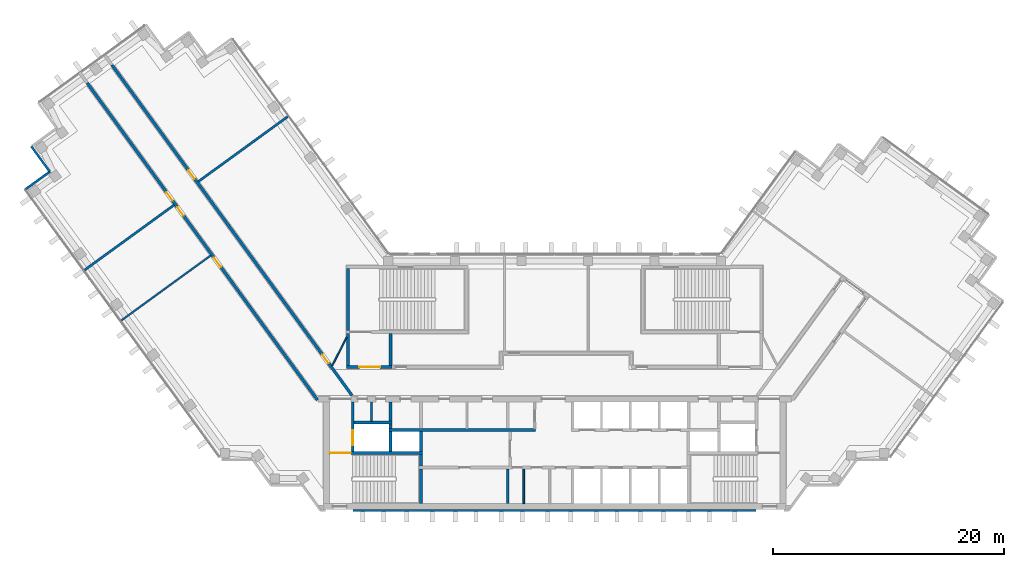
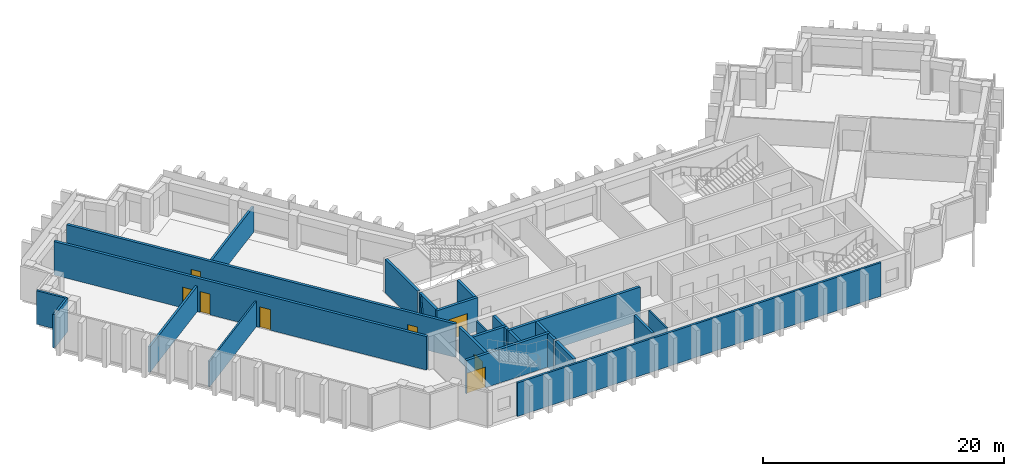
# One storey, part 4 of 9: 26 walls, 8 doors, 8 openings.
"""IFC4 building model written with IfcOpenShell, lengths in metres."""

from ifc_helpers import new_model, si_unit, direction, frame, frame_2d, origin, place, context, subcontext, project, spatial, rectangle, extrude, material, layer, layer_set, type_object, element, fill, save


model = new_model("IFC4")

# Units and contexts
model_context = context("Model", 3, precision=1e-05, world=origin(), true_north=direction((0.0, 1.0)))
body_context = subcontext(model_context, "Body", "Model", "MODEL_VIEW")
ifc_project = project(units=[si_unit("LENGTHUNIT", "METRE"), si_unit("AREAUNIT", "SQUARE_METRE"), si_unit("VOLUMEUNIT", "CUBIC_METRE"), si_unit("PLANEANGLEUNIT", "RADIAN"), si_unit("MASSUNIT", "GRAM", prefix="KILO")], contexts=[model_context])

# Site, building, storey
site_placement = place(None, origin())
site = spatial("IfcSite", under=ifc_project, at=site_placement, CompositionType="ELEMENT")
building_placement = place(site_placement, origin())
building = spatial("IfcBuilding", under=site, at=building_placement, Name="Quipu Civic Tower", CompositionType="ELEMENT")
storey_placement = place(building_placement, frame((0.0, 0.0, 238.0)))
storey = spatial("IfcBuildingStorey", under=building, at=storey_placement, Name="L56", CompositionType="ELEMENT", Elevation=238.0)

# Walls
ifc_material_1 = material(Name="Double gypsum plasterboard with mineral wool")
ifc_layer_1 = layer(ifc_material_1, 0.14990234375)
ifc_layer_set_1 = layer_set([ifc_layer_1], Name="Double gypsum plasterboard with mineral wool")
wall_type_1 = type_object("IfcWallType", Name="Acoustic partition 150 plasterboard", PredefinedType="PARTITIONING", material=ifc_layer_set_1)
wall_1_placement = place(storey_placement, frame((-29.769287109375, 10.979736328125, 0.0), z_axis=(0.0, 0.0, 1.0), x_axis=(-0.809048817734, -0.587741448702, 0.0)))
element("IfcWall", 1, at=wall_1_placement, inside=storey, type_object=wall_type_1, Name="Partition P02", PredefinedType="PARTITIONING", context=body_context, shape_type="SweptSolid", body=[
    extrude(rectangle(XDim=9.55029296875, YDim=0.14990234375, at=frame_2d((4.775146484375, 0.0))), origin(), (0.0, 0.0, 1.0), 2.60009765625),
])
ifc_material_2 = material(Name="Fired clay blockwork", Category="masonry")
ifc_layer_2 = layer(ifc_material_2, 0.199951171875)
ifc_layer_set_2 = layer_set([ifc_layer_2], Name="Fired clay blockwork")
wall_type_2 = type_object("IfcWallType", Name="Blockwork wall 200", PredefinedType="SOLIDWALL", material=ifc_layer_set_2)
wall_2_placement = place(storey_placement, frame((-23.112060546875, 22.99755859375, 0.0), z_axis=(0.0, 0.0, 1.0), x_axis=(-0.809043311713, -0.587749027879, 0.0)))
element("IfcWall", 2, at=wall_2_placement, inside=storey, type_object=wall_type_2, Name="Partition P05", PredefinedType="SOLIDWALL", context=body_context, shape_type="SweptSolid", body=[
    extrude(rectangle(XDim=9.549560546875, YDim=0.199951171875, at=frame_2d((4.77490234375, 0.0))), origin(), (0.0, 0.0, 1.0), 2.60009765625),
])
wall_3_placement = place(storey_placement, frame((-32.943115234375, 15.348876953125, 0.0), z_axis=(0.0, 0.0, 1.0), x_axis=(-0.80903787798, -0.587756507402, 0.0)))
element("IfcWall", 3, at=wall_3_placement, inside=storey, type_object=wall_type_2, Name="Partition P06", PredefinedType="SOLIDWALL", context=body_context, shape_type="SweptSolid", body=[
    extrude(rectangle(XDim=9.651611328125, YDim=0.199951171875, at=frame_2d((4.82568359375, 0.0))), origin(), (0.0, 0.0, 1.0), 2.60009765625),
])
ifc_material_3 = material(Name="Concrete C70/85", Category="concrete")
ifc_layer_3 = layer(ifc_material_3, 0.25)
ifc_layer_set_3 = layer_set([ifc_layer_3], Name="Concrete C70/85")
wall_type_3 = type_object("IfcWallType", Name="Core wall 250", PredefinedType="SHEAR", material=ifc_layer_set_3)
wall_4_placement = place(storey_placement, frame((-11.574951171875, -10.5, 0.0), z_axis=(0.0, 0.0, 1.0), x_axis=(0.0, 1.0, 0.0)))
element("IfcWall", 4, at=wall_4_placement, inside=storey, type_object=wall_type_3, Name="Core wall", PredefinedType="SHEAR", context=body_context, shape_type="SweptSolid", body=[
    extrude(rectangle(XDim=3.0, YDim=0.25, at=frame_2d((1.5, 0.0))), origin(), (0.0, 0.0, 1.0), 3.39990234375),
])
wall_5_placement = place(storey_placement, frame((-11.574951171875, -7.25, 0.0), z_axis=(0.0, 0.0, 1.0), x_axis=(0.0, 1.0, 0.0)))
element("IfcWall", 5, at=wall_5_placement, inside=storey, type_object=wall_type_3, Name="Core wall", PredefinedType="SHEAR", context=body_context, shape_type="SweptSolid", body=[
    extrude(rectangle(XDim=1.0, YDim=0.25, at=frame_2d((0.5, 0.0))), origin(), (0.0, 0.0, 1.0), 3.39990234375),
])

# Wall, opening, door
wall_6_placement = place(storey_placement, frame((-11.449951171875, -6.125, 0.0), z_axis=(0.0, 0.0, 1.0), x_axis=(-1.0, 0.0, 0.0)))
wall_6 = element("IfcWall", 6, at=wall_6_placement, inside=storey, type_object=wall_type_3, Name="Core wall", PredefinedType="SHEAR", context=body_context, shape_type="SweptSolid", body=[
    extrude(rectangle(XDim=8.050048828125, YDim=0.25, at=frame_2d((4.02490234375, 0.0))), origin(), (0.0, 0.0, 1.0), 3.39990234375),
])
opening_1_placement = place(wall_6_placement, frame((6.199951171875, 0.0, 0.0)))
opening_1 = element("IfcOpeningElement", 7, at=opening_1_placement, cuts=wall_6, Name="Opening CD-05", PredefinedType="OPENING", context=body_context, shape_type="SweptSolid", body=[
    extrude(rectangle(XDim=1.800048828125, YDim=2.10009765625, at=frame_2d((0.89990234375, 1.050048828125))), frame((0.0, 0.135009765625, 0.0), z_axis=(0.0, -1.0, 0.0), x_axis=(1.0, 0.0, 0.0)), (0.0, 0.0, 1.0), 0.27001953125),
])
ifc_material_4 = material(Name="Fire rated steel door", Category="steel")
door_type_1 = type_object("IfcDoorType", Name="Fire door FD90 double 1800 x 2100", OperationType="NOTDEFINED", PredefinedType="DOOR", material=ifc_material_4)
door_1_placement = place(opening_1_placement, origin())
door_1 = element("IfcDoor", 8, at=door_1_placement, inside=storey, type_object=door_type_1, Name="Door", OperationType="DOUBLE_DOOR_SINGLE_SWING", OverallHeight=2.10009765625, OverallWidth=1.800048828125, PredefinedType="DOOR", context=body_context, shape_type="SweptSolid", body=[
    extrude(rectangle(XDim=1.800048828125, YDim=2.10009765625, at=frame_2d((0.89990234375, 1.050048828125))), frame((0.0, 0.02490234375, 0.0), z_axis=(0.0, -1.0, 0.0), x_axis=(1.0, 0.0, 0.0)), (0.0, 0.0, 1.0), 0.050048828125),
])
fill(opening_1, door_1)

wall_7_placement = place(storey_placement, frame((-17.47509765625, -6.0, 0.0), z_axis=(0.0, 0.0, 1.0), x_axis=(0.0, 1.0, 0.0)))
wall_7 = element("IfcWall", 9, at=wall_7_placement, inside=storey, type_object=wall_type_3, Name="Core wall", PredefinedType="SHEAR", context=body_context, shape_type="SweptSolid", body=[
    extrude(rectangle(XDim=4.300048828125, YDim=0.25, at=frame_2d((2.14990234375, 0.0))), origin(), (0.0, 0.0, 1.0), 3.39990234375),
])
opening_2_placement = place(wall_7_placement, frame((0.550048828125, 0.0, 0.0)))
opening_2 = element("IfcOpeningElement", 10, at=opening_2_placement, cuts=wall_7, Name="Opening LD-FF1", PredefinedType="OPENING", context=body_context, shape_type="SweptSolid", body=[
    extrude(rectangle(XDim=1.300048828125, YDim=2.10009765625, at=frame_2d((0.64990234375, 1.050048828125))), frame((0.0, 0.135009765625, 0.0), z_axis=(0.0, -1.0, 0.0), x_axis=(1.0, 0.0, 0.0)), (0.0, 0.0, 1.0), 0.27001953125),
])
ifc_material_5 = material(Name="Stainless steel", Category="steel")
door_type_2 = type_object("IfcDoorType", Name="Lift landing door 1300 x 2100", OperationType="DOUBLE_DOOR_SLIDING", PredefinedType="DOOR", material=ifc_material_5)
door_2_placement = place(opening_2_placement, origin())
door_2 = element("IfcDoor", 11, at=door_2_placement, inside=storey, type_object=door_type_2, Name="Landing door FF1", OperationType="DOUBLE_DOOR_SLIDING", OverallHeight=2.10009765625, OverallWidth=1.300048828125, PredefinedType="DOOR", context=body_context, shape_type="SweptSolid", body=[
    extrude(rectangle(XDim=1.300048828125, YDim=2.10009765625, at=frame_2d((0.64990234375, 1.050048828125))), frame((0.0, 0.02490234375, 0.0), z_axis=(0.0, -1.0, 0.0), x_axis=(1.0, 0.0, 0.0)), (0.0, 0.0, 1.0), 0.050048828125),
])
fill(opening_2, door_2)

# Walls
for number, where, z_axis, x_axis, name in (
    (12, (-14.22509765625, -6.0, 0.0), (0.0, 0.0, 1.0), (0.0, 1.0, 0.0), "Core wall"),
    (13, (-11.574951171875, -6.0, 0.0), (0.0, 0.0, 1.0), (0.0, 1.0, 0.0), "Core wall"),
):
    element("IfcWall", number, at=place(storey_placement, frame(where, z_axis=z_axis, x_axis=x_axis)), inside=storey, type_object=wall_type_3, Name=name, PredefinedType="SHEAR", context=body_context, shape_type="SweptSolid", body=[
        extrude(rectangle(XDim=1.75, YDim=0.25, at=frame_2d((0.875, 0.0))), origin(), (0.0, 0.0, 1.0), 3.39990234375),
    ])
wall_8_placement = place(storey_placement, frame((-14.35009765625, -4.125, 0.0), z_axis=(0.0, 0.0, 1.0), x_axis=(1.0, 0.0, 0.0)))
element("IfcWall", 14, at=wall_8_placement, inside=storey, type_object=wall_type_3, Name="Core wall", PredefinedType="SHEAR", context=body_context, shape_type="SweptSolid", body=[
    extrude(rectangle(XDim=12.7001953125, YDim=0.25, at=frame_2d((6.35009765625, 0.0))), origin(), (0.0, 0.0, 1.0), 3.39990234375),
])
wall_9_placement = place(storey_placement, frame((-14.22509765625, -4.0, 0.0), z_axis=(0.0, 0.0, 1.0), x_axis=(0.0, 1.0, 0.0)))
element("IfcWall", 15, at=wall_9_placement, inside=storey, type_object=wall_type_3, Name="Core wall", PredefinedType="SHEAR", context=body_context, shape_type="SweptSolid", body=[
    extrude(rectangle(XDim=0.39990234375, YDim=0.25, at=frame_2d((0.199951171875, 0.0))), origin(), (0.0, 0.0, 1.0), 3.39990234375),
])
wall_10_placement = place(storey_placement, frame((-17.35009765625, -3.47509765625, 0.0), z_axis=(0.0, 0.0, 1.0), x_axis=(1.0, 0.0, 0.0)))
element("IfcWall", 16, at=wall_10_placement, inside=storey, type_object=wall_type_3, Name="Core wall", PredefinedType="SHEAR", context=body_context, shape_type="SweptSolid", body=[
    extrude(rectangle(XDim=3.25, YDim=0.25, at=frame_2d((1.625, 0.0))), origin(), (0.0, 0.0, 1.0), 3.39990234375),
])
wall_11_placement = place(storey_placement, frame((-14.22509765625, -3.35009765625, 0.0), z_axis=(0.0, 0.0, 1.0), x_axis=(0.0, 1.0, 0.0)))
element("IfcWall", 17, at=wall_11_placement, inside=storey, type_object=wall_type_3, Name="Core wall", PredefinedType="SHEAR", context=body_context, shape_type="SweptSolid", body=[
    extrude(rectangle(XDim=1.650146484375, YDim=0.25, at=frame_2d((0.8251953125, 0.0))), origin(), (0.0, 0.0, 1.0), 3.39990234375),
])

# Wall, opening, door
wall_12_placement = place(storey_placement, frame((-18.0, 1.324951171875, 0.0), z_axis=(0.0, 0.0, 1.0), x_axis=(1.0, 0.0, 0.0)))
wall_12 = element("IfcWall", 18, at=wall_12_placement, inside=storey, type_object=wall_type_3, Name="Core wall", PredefinedType="SHEAR", context=body_context, shape_type="SweptSolid", body=[
    extrude(rectangle(XDim=3.89990234375, YDim=0.25, at=frame_2d((1.949951171875, 0.0))), origin(), (0.0, 0.0, 1.0), 3.39990234375),
])
opening_3_placement = place(wall_12_placement, frame((1.10009765625, 0.0, 0.0)))
opening_3 = element("IfcOpeningElement", 19, at=opening_3_placement, cuts=wall_12, Name="Opening CD-19", PredefinedType="OPENING", context=body_context, shape_type="SweptSolid", body=[
    extrude(rectangle(XDim=1.800048828125, YDim=2.10009765625, at=frame_2d((0.89990234375, 1.050048828125))), frame((0.0, 0.135009765625, 0.0), z_axis=(0.0, -1.0, 0.0), x_axis=(1.0, 0.0, 0.0)), (0.0, 0.0, 1.0), 0.27001953125),
])
door_3_placement = place(opening_3_placement, origin())
door_3 = element("IfcDoor", 20, at=door_3_placement, inside=storey, type_object=door_type_1, Name="Lobby door", OperationType="DOUBLE_DOOR_SINGLE_SWING", OverallHeight=2.10009765625, OverallWidth=1.800048828125, PredefinedType="DOOR", context=body_context, shape_type="SweptSolid", body=[
    extrude(rectangle(XDim=1.800048828125, YDim=2.10009765625, at=frame_2d((0.89990234375, 1.050048828125))), frame((0.0, 0.02490234375, 0.0), z_axis=(0.0, -1.0, 0.0), x_axis=(1.0, 0.0, 0.0)), (0.0, 0.0, 1.0), 0.050048828125),
])
fill(opening_3, door_3)

# Walls
for number, where, z_axis, x_axis, name in (
    (21, (-17.875, 1.449951171875, 0.0), (0.0, 0.0, 1.0), (0.0, 1.0, 0.0), "Core wall"),
    (22, (-14.22509765625, 1.449951171875, 0.0), (0.0, 0.0, 1.0), (0.0, 1.0, 0.0), "Core wall"),
):
    element("IfcWall", number, at=place(storey_placement, frame(where, z_axis=z_axis, x_axis=x_axis)), inside=storey, type_object=wall_type_3, Name=name, PredefinedType="SHEAR", context=body_context, shape_type="SweptSolid", body=[
        extrude(rectangle(XDim=2.800048828125, YDim=0.25, at=frame_2d((1.39990234375, 0.0))), origin(), (0.0, 0.0, 1.0), 3.39990234375),
    ])
wall_13_placement = place(storey_placement, frame((-17.875, 4.5, 0.0), z_axis=(0.0, 0.0, 1.0), x_axis=(0.0, 1.0, 0.0)))
element("IfcWall", 23, at=wall_13_placement, inside=storey, type_object=wall_type_3, Name="Core wall", PredefinedType="SHEAR", context=body_context, shape_type="SweptSolid", body=[
    extrude(rectangle(XDim=5.35009765625, YDim=0.25, at=frame_2d((2.675048828125, 0.0))), origin(), (0.0, 0.0, 1.0), 3.39990234375),
])

# Wall, openings, doors
ifc_material_6 = material(Name="Concrete C50/60", Category="concrete")
ifc_layer_4 = layer(ifc_material_6, 0.25)
ifc_layer_set_4 = layer_set([ifc_layer_4], Name="Concrete C50/60")
wall_type_4 = type_object("IfcWallType", Name="Corridor wall 250 concrete", PredefinedType="SOLIDWALL", material=ifc_layer_set_4)
wall_14_placement = place(storey_placement, frame((-20.531005859375, -1.5234375, 0.0), z_axis=(0.0, 0.0, 1.0), x_axis=(-0.587781654618, 0.809019608226, 0.0)))
wall_14 = element("IfcWall", 24, at=wall_14_placement, inside=storey, type_object=wall_type_4, Name="Corridor wall C05", PredefinedType="SOLIDWALL", context=body_context, shape_type="SweptSolid", body=[
    extrude(rectangle(XDim=33.9111328125, YDim=0.25, at=frame_2d((16.95556640625, 0.0))), origin(), (0.0, 0.0, 1.0), 3.39990234375),
])
opening_4_placement = place(wall_14_placement, frame((14.215576171875, 0.0, 0.0)))
opening_4 = element("IfcOpeningElement", 25, at=opening_4_placement, cuts=wall_14, Name="Opening D012", PredefinedType="OPENING", context=body_context, shape_type="SweptSolid", body=[
    extrude(rectangle(XDim=1.0, YDim=2.10009765625, at=frame_2d((0.5, 1.050048828125))), frame((0.0, 0.135009765625, 0.0), z_axis=(0.0, -1.0, 0.0), x_axis=(1.0, 0.0, 0.0)), (0.0, 0.0, 1.0), 0.27001953125),
])
opening_5_placement = place(wall_14_placement, frame((19.715087890625, 0.0, 0.0)))
opening_5 = element("IfcOpeningElement", 26, at=opening_5_placement, cuts=wall_14, Name="Opening D011", PredefinedType="OPENING", context=body_context, shape_type="SweptSolid", body=[
    extrude(rectangle(XDim=0.89990234375, YDim=2.10009765625, at=frame_2d((0.449951171875, 1.050048828125))), frame((0.0, 0.135009765625, 0.0), z_axis=(0.0, -1.0, 0.0), x_axis=(1.0, 0.0, 0.0)), (0.0, 0.0, 1.0), 0.27001953125),
])
opening_6_placement = place(wall_14_placement, frame((21.31591796875, 0.0, 0.0)))
opening_6 = element("IfcOpeningElement", 27, at=opening_6_placement, cuts=wall_14, Name="Opening D010", PredefinedType="OPENING", context=body_context, shape_type="SweptSolid", body=[
    extrude(rectangle(XDim=0.89990234375, YDim=2.10009765625, at=frame_2d((0.449951171875, 1.050048828125))), frame((0.0, 0.135009765625, 0.0), z_axis=(0.0, -1.0, 0.0), x_axis=(1.0, 0.0, 0.0)), (0.0, 0.0, 1.0), 0.27001953125),
])
ifc_material_7 = material(Name="Fire rated timber door set with metal frame", Category="wood")
door_type_3 = type_object("IfcDoorType", Name="Single door 1000 x 2100 FD60", OperationType="NOTDEFINED", PredefinedType="DOOR", material=ifc_material_7)
door_4_placement = place(opening_4_placement, origin())
door_4 = element("IfcDoor", 28, at=door_4_placement, inside=storey, type_object=door_type_3, Name="Door D012", OperationType="SINGLE_SWING_RIGHT", OverallHeight=2.10009765625, OverallWidth=1.0, PredefinedType="DOOR", context=body_context, shape_type="SweptSolid", body=[
    extrude(rectangle(XDim=1.0, YDim=2.10009765625, at=frame_2d((0.5, 1.050048828125))), frame((0.0, 0.02490234375, 0.0), z_axis=(0.0, -1.0, 0.0), x_axis=(1.0, 0.0, 0.0)), (0.0, 0.0, 1.0), 0.050048828125),
])
fill(opening_4, door_4)
ifc_material_8 = material(Name="Fire rated timber door set with metal frame", Category="wood")
door_type_4 = type_object("IfcDoorType", Name="Single door 900 x 2100 FD60", OperationType="NOTDEFINED", PredefinedType="DOOR", material=ifc_material_8)
door_5_placement = place(opening_5_placement, origin())
door_5 = element("IfcDoor", 29, at=door_5_placement, inside=storey, type_object=door_type_4, Name="Door D011", OperationType="SINGLE_SWING_RIGHT", OverallHeight=2.10009765625, OverallWidth=0.89990234375, PredefinedType="DOOR", context=body_context, shape_type="SweptSolid", body=[
    extrude(rectangle(XDim=0.89990234375, YDim=2.10009765625, at=frame_2d((0.449951171875, 1.050048828125))), frame((0.0, 0.02490234375, 0.0), z_axis=(0.0, -1.0, 0.0), x_axis=(1.0, 0.0, 0.0)), (0.0, 0.0, 1.0), 0.050048828125),
])
fill(opening_5, door_5)
door_6_placement = place(opening_6_placement, origin())
door_6 = element("IfcDoor", 30, at=door_6_placement, inside=storey, type_object=door_type_4, Name="Door D010", OperationType="SINGLE_SWING_LEFT", OverallHeight=2.10009765625, OverallWidth=0.89990234375, PredefinedType="DOOR", context=body_context, shape_type="SweptSolid", body=[
    extrude(rectangle(XDim=0.89990234375, YDim=2.10009765625, at=frame_2d((0.449951171875, 1.050048828125))), frame((0.0, 0.02490234375, 0.0), z_axis=(0.0, -1.0, 0.0), x_axis=(1.0, 0.0, 0.0)), (0.0, 0.0, 1.0), 0.050048828125),
])
fill(opening_6, door_6)

wall_15_placement = place(storey_placement, frame((-38.31982421875, 27.46923828125, 0.0), z_axis=(0.0, 0.0, 1.0), x_axis=(0.587788021768, -0.809014982226, 0.0)))
wall_15 = element("IfcWall", 31, at=wall_15_placement, inside=storey, type_object=wall_type_4, Name="Corridor wall C06", PredefinedType="SOLIDWALL", context=body_context, shape_type="SweptSolid", body=[
    extrude(rectangle(XDim=35.34423828125, YDim=0.25, at=frame_2d((17.672119140625, 0.0))), origin(), (0.0, 0.0, 1.0), 3.39990234375),
])
opening_7_placement = place(wall_15_placement, frame((31.002685546875, 0.0, 0.0)))
opening_7 = element("IfcOpeningElement", 32, at=opening_7_placement, cuts=wall_15, Name="Opening D009", PredefinedType="OPENING", context=body_context, shape_type="SweptSolid", body=[
    extrude(rectangle(XDim=0.89990234375, YDim=2.10009765625, at=frame_2d((0.449951171875, 1.050048828125))), frame((0.0, 0.135009765625, 0.0), z_axis=(0.0, -1.0, 0.0), x_axis=(1.0, 0.0, 0.0)), (0.0, 0.0, 1.0), 0.27001953125),
])
opening_8_placement = place(wall_15_placement, frame((11.286376953125, 0.0, 0.0)))
opening_8 = element("IfcOpeningElement", 33, at=opening_8_placement, cuts=wall_15, Name="Opening D008", PredefinedType="OPENING", context=body_context, shape_type="SweptSolid", body=[
    extrude(rectangle(XDim=0.89990234375, YDim=2.10009765625, at=frame_2d((0.449951171875, 1.050048828125))), frame((0.0, 0.135009765625, 0.0), z_axis=(0.0, -1.0, 0.0), x_axis=(1.0, 0.0, 0.0)), (0.0, 0.0, 1.0), 0.27001953125),
])
door_7_placement = place(opening_7_placement, origin())
door_7 = element("IfcDoor", 34, at=door_7_placement, inside=storey, type_object=door_type_4, Name="Door D009", OperationType="SINGLE_SWING_RIGHT", OverallHeight=2.10009765625, OverallWidth=0.89990234375, PredefinedType="DOOR", context=body_context, shape_type="SweptSolid", body=[
    extrude(rectangle(XDim=0.89990234375, YDim=2.10009765625, at=frame_2d((0.449951171875, 1.050048828125))), frame((0.0, 0.02490234375, 0.0), z_axis=(0.0, -1.0, 0.0), x_axis=(1.0, 0.0, 0.0)), (0.0, 0.0, 1.0), 0.050048828125),
])
fill(opening_7, door_7)
door_8_placement = place(opening_8_placement, origin())
door_8 = element("IfcDoor", 35, at=door_8_placement, inside=storey, type_object=door_type_4, Name="Door D008", OperationType="SINGLE_SWING_RIGHT", OverallHeight=2.10009765625, OverallWidth=0.89990234375, PredefinedType="DOOR", context=body_context, shape_type="SweptSolid", body=[
    extrude(rectangle(XDim=0.89990234375, YDim=2.10009765625, at=frame_2d((0.449951171875, 1.050048828125))), frame((0.0, 0.02490234375, 0.0), z_axis=(0.0, -1.0, 0.0), x_axis=(1.0, 0.0, 0.0)), (0.0, 0.0, 1.0), 0.050048828125),
])
fill(opening_8, door_8)

# Walls
ifc_material_9 = material(Name="Gypsum plasterboard on light gauge framing")
ifc_layer_5 = layer(ifc_material_9, 0.1201171875)
ifc_layer_set_5 = layer_set([ifc_layer_5], Name="Gypsum plasterboard on light gauge framing")
wall_type_5 = type_object("IfcWallType", Name="Partition 120 plasterboard", PredefinedType="PARTITIONING", material=ifc_layer_set_5)
wall_16_placement = place(storey_placement, frame((-19.260986328125, 1.449951171875, 0.0), z_axis=(0.0, 0.0, 1.0), x_axis=(0.453950796792, 0.891026752736, 0.0)))
element("IfcWall", 36, at=wall_16_placement, inside=storey, type_object=wall_type_5, Name="Partition P10", PredefinedType="PARTITIONING", context=body_context, shape_type="SweptSolid", body=[
    extrude(rectangle(XDim=2.77783203125, YDim=0.1201171875, at=frame_2d((1.388916015625, 0.0))), origin(), (0.0, 0.0, 1.0), 3.39990234375),
])
ifc_material_10 = material(Name="Gypsum board partition")
ifc_layer_6 = layer(ifc_material_10, 0.14990234375)
ifc_layer_set_6 = layer_set([ifc_layer_6], Name="Gypsum board partition")
wall_type_6 = type_object("IfcWallType", Name="Partition 150", PredefinedType="PARTITIONING", material=ifc_layer_set_6)
wall_17_placement = place(storey_placement, frame((-2.675048828125, -10.5, 0.0), z_axis=(0.0, 0.0, 1.0), x_axis=(0.0, 1.0, 0.0)))
element("IfcWall", 37, at=wall_17_placement, inside=storey, type_object=wall_type_6, Name="Partition", PredefinedType="PARTITIONING", context=body_context, shape_type="SweptSolid", body=[
    extrude(rectangle(XDim=3.0, YDim=0.14990234375, at=frame_2d((1.5, 0.0))), origin(), (0.0, 0.0, 1.0), 3.39990234375),
])
wall_18_placement = place(storey_placement, frame((-15.85009765625, -3.35009765625, 0.0), z_axis=(0.0, 0.0, 1.0), x_axis=(0.0, 1.0, 0.0)))
element("IfcWall", 38, at=wall_18_placement, inside=storey, type_object=wall_type_6, Name="Partition", PredefinedType="PARTITIONING", context=body_context, shape_type="SweptSolid", body=[
    extrude(rectangle(XDim=1.650146484375, YDim=0.14990234375, at=frame_2d((0.8251953125, 0.0))), origin(), (0.0, 0.0, 1.0), 3.39990234375),
])
ifc_material_11 = material(Name="Precast concrete C40/50", Category="concrete")
wall_type_7 = type_object("IfcWallType", Name="Precast cladding wall", PredefinedType="SOLIDWALL", material=ifc_material_11)
for number, where, z_axis, x_axis, name in (
    (39, (-45.29638671875, 20.43359375, 0.0), (0.0, 0.0, 1.0), (0.587762999008, -0.809033161865, 0.0), "Precast cladding wall L56 P09"),
    (40, (-43.658203125, 18.271728515625, 0.0), (0.0, 0.0, 1.0), (-0.808958916286, -0.58786518162, 0.0), "Precast cladding wall L56 P10"),
):
    element("IfcWall", number, at=place(storey_placement, frame(where, z_axis=z_axis, x_axis=x_axis)), inside=storey, type_object=wall_type_7, Name=name, PredefinedType="SOLIDWALL", context=body_context, shape_type="SweptSolid", body=[
        extrude(rectangle(XDim=2.699951171875, YDim=0.199951171875, at=frame_2d((1.35009765625, 0.0))), origin(), (0.0, 0.0, 1.0), 3.39990234375),
    ])
wall_19_placement = place(storey_placement, frame((-17.44384765625, -11.087890625, 0.0), z_axis=(0.0, 0.0, 1.0), x_axis=(1.0, 0.0, 0.0)))
element("IfcWall", 41, at=wall_19_placement, inside=storey, type_object=wall_type_7, Name="Precast cladding wall L56 P17", PredefinedType="SOLIDWALL", context=body_context, shape_type="SweptSolid", body=[
    extrude(rectangle(XDim=34.8876953125, YDim=0.199951171875, at=frame_2d((17.44384765625, 0.0))), origin(), (0.0, 0.0, 1.0), 3.39990234375),
])
ifc_material_12 = material(Name="Concrete C40/50", Category="concrete")
ifc_layer_7 = layer(ifc_material_12, 0.199951171875)
ifc_layer_set_7 = layer_set([ifc_layer_7], Name="Concrete C40/50")
wall_type_8 = type_object("IfcWallType", Name="Shaft wall 200", PredefinedType="SOLIDWALL", material=ifc_layer_set_7)
wall_20_placement = place(storey_placement, frame((-4.050048828125, -10.5, 0.0), z_axis=(0.0, 0.0, 1.0), x_axis=(0.0, 1.0, 0.0)))
element("IfcWall", 42, at=wall_20_placement, inside=storey, type_object=wall_type_8, Name="Shaft wall", PredefinedType="SOLIDWALL", context=body_context, shape_type="SweptSolid", body=[
    extrude(rectangle(XDim=3.0, YDim=0.199951171875, at=frame_2d((1.5, 0.0))), origin(), (0.0, 0.0, 1.0), 3.39990234375),
])

save(model, "model.ifc")
